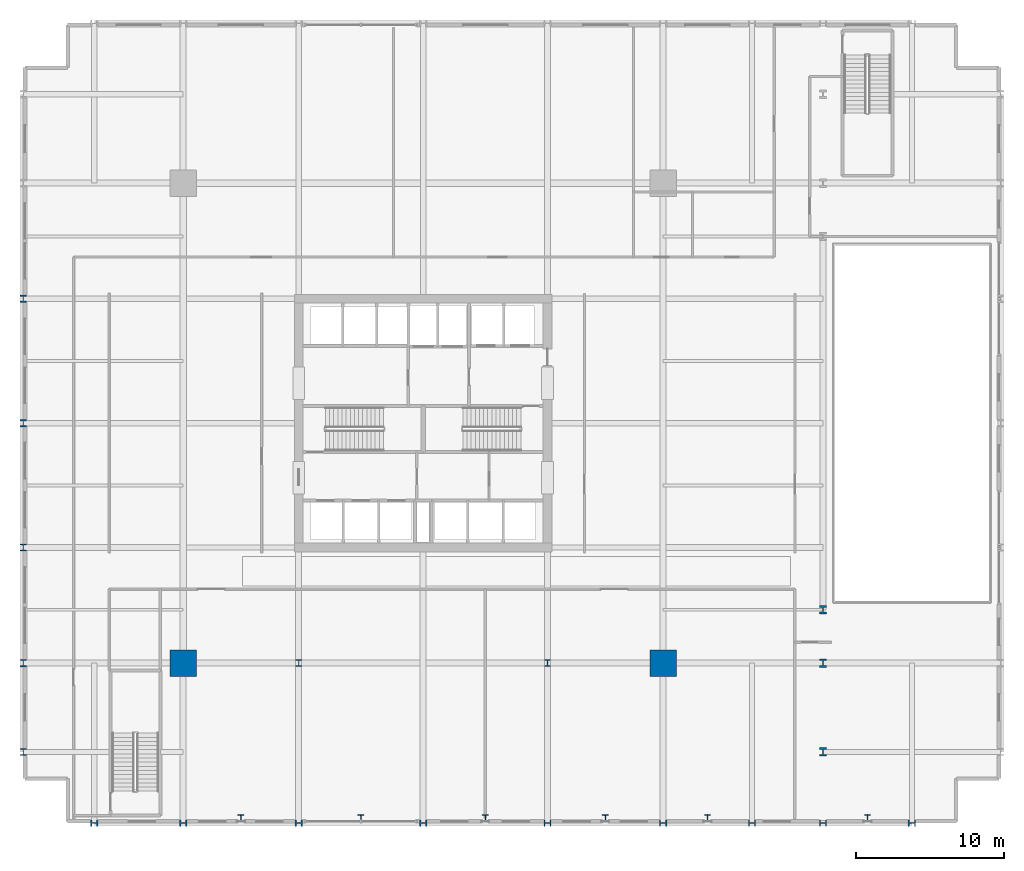
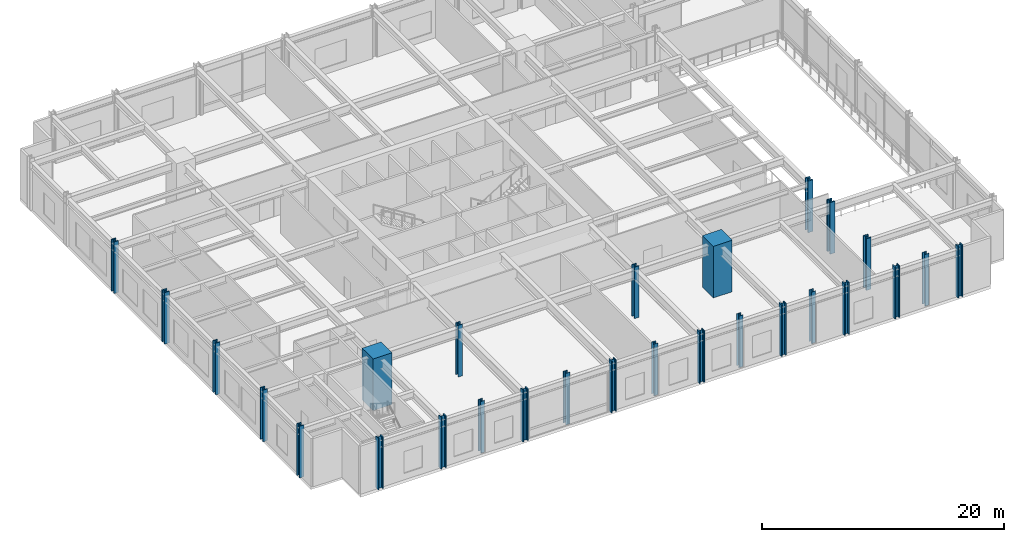
# One storey, part 1 of 20: 27 columns.
"""IFC4 building model written with IfcOpenShell, lengths in metres."""

from ifc_helpers import new_model, si_unit, direction, frame, origin, origin_2d, place, context, subcontext, project, spatial, rectangle, i_section, extrude, material, material_profile, profile_set, type_object, element, save


model = new_model("IFC4")

# Units and contexts
model_context = context("Model", 3, precision=1e-05, world=origin(), true_north=direction((0.0, 1.0)))
body_context = subcontext(model_context, "Body", "Model", "MODEL_VIEW")
ifc_project = project(units=[si_unit("LENGTHUNIT", "METRE"), si_unit("AREAUNIT", "SQUARE_METRE"), si_unit("VOLUMEUNIT", "CUBIC_METRE"), si_unit("PLANEANGLEUNIT", "RADIAN"), si_unit("MASSUNIT", "GRAM", prefix="KILO")], contexts=[model_context])

# Site, building, storey
site_placement = place(None, origin())
site = spatial("IfcSite", under=ifc_project, at=site_placement, CompositionType="ELEMENT")
building_placement = place(site_placement, origin())
building = spatial("IfcBuilding", under=site, at=building_placement, Name="Drelvath Grand Hotel", CompositionType="ELEMENT")
storey_placement = place(building_placement, frame((0.0, 0.0, 5.60009765625)))
storey = spatial("IfcBuildingStorey", under=building, at=storey_placement, Name="L01", CompositionType="ELEMENT", Elevation=5.60009765625)

# Columns
ifc_material_1 = material(Name="Steel ASTM A913 Gr 65", Category="steel")
ifc_material_profile_1 = material_profile(ifc_material_1, i_section(OverallWidth=0.4013671875, OverallDepth=0.3994140625, WebThickness=0.02490234375, FlangeThickness=0.03955078125, FilletRadius=0.02490234375, at=origin_2d()), Name="W14X211")
ifc_profile_set_1 = profile_set([ifc_material_profile_1], Name="Steel ASTM A913 Gr 65")
column_type_1 = type_object("IfcColumnType", Name="Colonnade Steel Pilaster W14X211", PredefinedType="COLUMN", material=ifc_profile_set_1)
for number, where, z_axis, x_axis, name in (
    (1, (-12.300048828125, 0.35009765625, 0.0), (0.0, 0.0, 1.0), (1.0, 0.0, 0.0), "L01 Colonnade Pilaster PIL-S1"),
    (2, (-4.199951171875, 0.35009765625, 0.0), (0.0, 0.0, 1.0), (1.0, 0.0, 0.0), "L01 Colonnade Pilaster PIL-S2"),
    (3, (4.199951171875, 0.35009765625, 0.0), (0.0, 0.0, 1.0), (1.0, 0.0, 0.0), "L01 Colonnade Pilaster PIL-S3"),
    (4, (12.300048828125, 0.35009765625, 0.0), (0.0, 0.0, 1.0), (1.0, 0.0, 0.0), "L01 Colonnade Pilaster PIL-S4"),
    (5, (19.199951171875, 0.35009765625, 0.0), (0.0, 0.0, 1.0), (1.0, 0.0, 0.0), "L01 Colonnade Pilaster PIL-S5"),
    (6, (30.0, 0.35009765625, 0.0), (0.0, 0.0, 1.0), (1.0, 0.0, 0.0), "L01 Colonnade Pilaster PIL-S6"),
):
    element("IfcColumn", number, at=place(storey_placement, frame(where, z_axis=z_axis, x_axis=x_axis)), inside=storey, type_object=column_type_1, Name=name, PredefinedType="COLUMN", context=body_context, shape_type="SweptSolid", body=[
        extrude(i_section(OverallWidth=0.4013671875, OverallDepth=0.3994140625, WebThickness=0.02490234375, FlangeThickness=0.03955078125, FilletRadius=0.02490234375, at=origin_2d()), origin(), (0.0, 0.0, 1.0), 5.199951171875),
    ])
ifc_material_2 = material(Name="Concrete f'c 70 MPa", Category="concrete")
ifc_material_profile_2 = material_profile(ifc_material_2, rectangle(XDim=1.800048828125, YDim=1.800048828125, at=origin_2d()), Name="MC1800X1800")
ifc_profile_set_2 = profile_set([ifc_material_profile_2], Name="Concrete f'c 70 MPa")
column_type_2 = type_object("IfcColumnType", Name="Composite Mega Column MC1800X1800", PredefinedType="COLUMN", material=ifc_profile_set_2)
for number, where, z_axis, x_axis, name in (
    (7, (-16.199951171875, 10.800048828125, 0.0), (0.0, 0.0, 1.0), (1.0, 0.0, 0.0), "L01 Composite Mega Column MC-SW"),
    (8, (16.199951171875, 10.800048828125, 0.0), (0.0, 0.0, 1.0), (1.0, 0.0, 0.0), "L01 Composite Mega Column MC-SE"),
):
    element("IfcColumn", number, at=place(storey_placement, frame(where, z_axis=z_axis, x_axis=x_axis)), inside=storey, type_object=column_type_2, Name=name, PredefinedType="COLUMN", context=body_context, shape_type="SweptSolid", body=[
        extrude(rectangle(XDim=1.800048828125, YDim=1.800048828125, at=origin_2d()), origin(), (0.0, 0.0, 1.0), 5.199951171875),
    ])
ifc_material_profile_3 = material_profile(ifc_material_1, i_section(OverallWidth=0.424072265625, OverallDepth=0.47412109375, WebThickness=0.047607421875, FlangeThickness=0.0771484375, FilletRadius=0.030029296875, at=origin_2d()), Name="W14X426")
ifc_profile_set_3 = profile_set([ifc_material_profile_3], Name="Steel ASTM A913 Gr 65")
column_type_3 = type_object("IfcColumnType", Name="Perimeter Steel Column W14X426", PredefinedType="COLUMN", material=ifc_profile_set_3)
for number, where, z_axis, x_axis, name in (
    (9, (-8.39990234375, 10.800048828125, 0.0), (0.0, 0.0, 1.0), (1.0, 0.0, 0.0), "L01 Structural Column PCP4-C"),
    (10, (8.39990234375, 10.800048828125, 0.0), (0.0, 0.0, 1.0), (1.0, 0.0, 0.0), "L01 Structural Column PCP6-C"),
):
    element("IfcColumn", number, at=place(storey_placement, frame(where, z_axis=z_axis, x_axis=x_axis)), inside=storey, type_object=column_type_3, Name=name, PredefinedType="COLUMN", context=body_context, shape_type="SweptSolid", body=[
        extrude(i_section(OverallWidth=0.424072265625, OverallDepth=0.47412109375, WebThickness=0.047607421875, FlangeThickness=0.0771484375, FilletRadius=0.030029296875, at=origin_2d()), origin(), (0.0, 0.0, 1.0), 5.199951171875),
    ])
ifc_material_profile_4 = material_profile(ifc_material_1, i_section(OverallWidth=0.43212890625, OverallDepth=0.497802734375, WebThickness=0.0556640625, FlangeThickness=0.0888671875, FilletRadius=0.030029296875, at=origin_2d()), Name="W14X500")
ifc_profile_set_4 = profile_set([ifc_material_profile_4], Name="Steel ASTM A913 Gr 65")
column_type_4 = type_object("IfcColumnType", Name="Perimeter Steel Column W14X500", PredefinedType="COLUMN", material=ifc_profile_set_4)
for number, where, z_axis, x_axis, name in (
    (11, (-27.0, 4.800048828125, 0.0), (0.0, 0.0, 1.0), (1.0, 0.0, 0.0), "L01 Structural Column PCW-B"),
    (12, (-27.0, 10.800048828125, 0.0), (0.0, 0.0, 1.0), (1.0, 0.0, 0.0), "L01 Structural Column PCW-C"),
    (13, (-27.0, 18.60009765625, 0.0), (0.0, 0.0, 1.0), (1.0, 0.0, 0.0), "L01 Structural Column PCW-D"),
    (14, (-27.0, 27.0, 0.0), (0.0, 0.0, 1.0), (1.0, 0.0, 0.0), "L01 Structural Column PCW-E"),
    (15, (-27.0, 35.39990234375, 0.0), (0.0, 0.0, 1.0), (1.0, 0.0, 0.0), "L01 Structural Column PCW-F"),
    (16, (-22.199951171875, 0.0, 0.0), (0.0, 0.0, 1.0), (0.0, 1.0, 0.0), "L01 Structural Column PCS-2"),
    (17, (-16.199951171875, 0.0, 0.0), (0.0, 0.0, 1.0), (0.0, 1.0, 0.0), "L01 Structural Column PCS-3"),
    (18, (-8.39990234375, 0.0, 0.0), (0.0, 0.0, 1.0), (0.0, 1.0, 0.0), "L01 Structural Column PCS-4"),
    (19, (0.0, 0.0, 0.0), (0.0, 0.0, 1.0), (0.0, 1.0, 0.0), "L01 Structural Column PCS-5"),
    (20, (8.39990234375, 0.0, 0.0), (0.0, 0.0, 1.0), (0.0, 1.0, 0.0), "L01 Structural Column PCS-6"),
    (21, (16.199951171875, 0.0, 0.0), (0.0, 0.0, 1.0), (0.0, 1.0, 0.0), "L01 Structural Column PCS-7"),
    (22, (22.199951171875, 0.0, 0.0), (0.0, 0.0, 1.0), (0.0, 1.0, 0.0), "L01 Structural Column PCS-8"),
    (23, (27.0, 0.0, 0.0), (0.0, 0.0, 1.0), (0.0, 1.0, 0.0), "L01 Structural Column PCS-9"),
    (24, (33.0, 0.0, 0.0), (0.0, 0.0, 1.0), (0.0, 1.0, 0.0), "L01 Structural Column PCS-10"),
):
    element("IfcColumn", number, at=place(storey_placement, frame(where, z_axis=z_axis, x_axis=x_axis)), inside=storey, type_object=column_type_4, Name=name, PredefinedType="COLUMN", context=body_context, shape_type="SweptSolid", body=[
        extrude(i_section(OverallWidth=0.43212890625, OverallDepth=0.497802734375, WebThickness=0.0556640625, FlangeThickness=0.0888671875, FilletRadius=0.030029296875, at=origin_2d()), origin(), (0.0, 0.0, 1.0), 5.199951171875),
    ])
ifc_material_profile_5 = material_profile(ifc_material_1, i_section(OverallWidth=0.454345703125, OverallDepth=0.569091796875, WebThickness=0.077880859375, FlangeThickness=0.124755859375, FilletRadius=0.030029296875, at=origin_2d()), Name="W14X730")
ifc_profile_set_5 = profile_set([ifc_material_profile_5], Name="Steel ASTM A913 Gr 65")
column_type_5 = type_object("IfcColumnType", Name="Perimeter Steel Column W14X730", PredefinedType="COLUMN", material=ifc_profile_set_5)
for number, where, z_axis, x_axis, name in (
    (25, (27.0, 4.800048828125, 0.0), (0.0, 0.0, 1.0), (1.0, 0.0, 0.0), "L01 Structural Column PCP9-B"),
    (26, (27.0, 10.800048828125, 0.0), (0.0, 0.0, 1.0), (1.0, 0.0, 0.0), "L01 Structural Column PCP9-C"),
    (27, (27.0, 14.39990234375, 0.0), (0.0, 0.0, 1.0), (1.0, 0.0, 0.0), "L01 Structural Column PCP9-AT1"),
):
    element("IfcColumn", number, at=place(storey_placement, frame(where, z_axis=z_axis, x_axis=x_axis)), inside=storey, type_object=column_type_5, Name=name, PredefinedType="COLUMN", context=body_context, shape_type="SweptSolid", body=[
        extrude(i_section(OverallWidth=0.454345703125, OverallDepth=0.569091796875, WebThickness=0.077880859375, FlangeThickness=0.124755859375, FilletRadius=0.030029296875, at=origin_2d()), origin(), (0.0, 0.0, 1.0), 5.199951171875),
    ])

save(model, "model.ifc")
